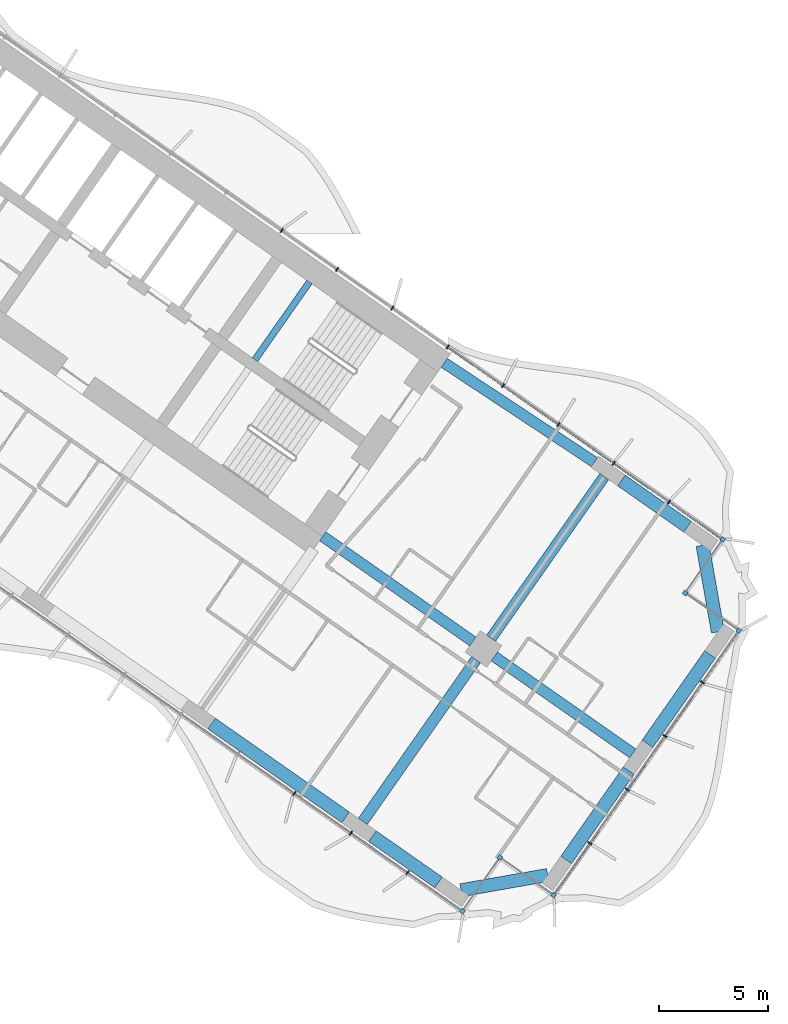
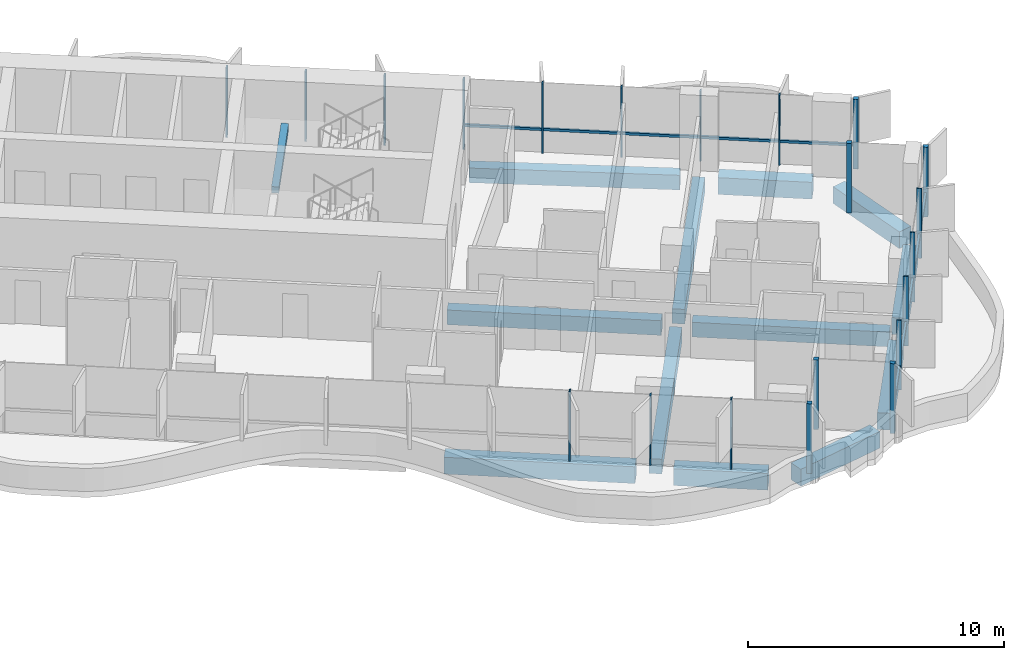
# One storey, part 9 of 23: 23 members, 13 beams, 2 elements without a shape of their own.
"""IFC4 building model written with IfcOpenShell, lengths in metres."""

from ifc_helpers import new_model, si_unit, direction, frame, origin, origin_2d, place, context, subcontext, project, spatial, rectangle, extrude, material, material_profile, profile_set, type_object, element, aggregate, save


model = new_model("IFC4")

# Units and contexts
model_context = context("Model", 3, precision=1e-05, world=origin(), true_north=direction((0.0, 1.0)))
body_context = subcontext(model_context, "Body", "Model", "MODEL_VIEW")
ifc_project = project(units=[si_unit("LENGTHUNIT", "METRE"), si_unit("AREAUNIT", "SQUARE_METRE"), si_unit("VOLUMEUNIT", "CUBIC_METRE"), si_unit("PLANEANGLEUNIT", "RADIAN"), si_unit("MASSUNIT", "GRAM", prefix="KILO")], contexts=[model_context])

# Site, building, storey
site_placement = place(None, origin())
site = spatial("IfcSite", under=ifc_project, at=site_placement, CompositionType="ELEMENT")
building_placement = place(site_placement, origin())
building = spatial("IfcBuilding", under=site, at=building_placement, Name="Tel Ilan Convention Tower", CompositionType="ELEMENT")
storey_placement = place(building_placement, frame((0.0, 0.0, 94.10009765625)))
storey = spatial("IfcBuildingStorey", under=building, at=storey_placement, Name="L19", CompositionType="ELEMENT", Elevation=94.10009765625)

# Beams
ifc_material_1 = material(Name="Concrete C40/50", Category="concrete")
ifc_material_profile_1 = material_profile(ifc_material_1, rectangle(XDim=0.5, YDim=0.699951171875, at=origin_2d()), Name="RC 500x700")
ifc_profile_set_1 = profile_set([ifc_material_profile_1], Name="Concrete C40/50")
beam_type_1 = type_object("IfcBeamType", Name="Beam RC 500x700 Concrete C40/50", PredefinedType="BEAM", material=ifc_profile_set_1)
beam_1_placement = place(storey_placement, frame((34.570556640625, -12.08447265625, -0.630126953125), z_axis=(-0.834273603487, 0.551350663847, 0.0), x_axis=(-0.551350663847, -0.834273603487, 0.0)))
element("IfcBeam", 1, at=beam_1_placement, inside=storey, type_object=beam_type_1, Name="L19 beam E-E-B4-core", PredefinedType="BEAM", context=body_context, shape_type="SweptSolid", body=[
    extrude(rectangle(XDim=0.5, YDim=0.699951171875, at=origin_2d()), origin(), (0.0, 0.0, 1.0), 8.2529296875),
])
beam_2_placement = place(storey_placement, frame((22.1171875, -15.486572265625, -0.630126953125), z_axis=(0.819147254605, -0.573583276668, 0.0), x_axis=(0.573583276668, 0.819147254605, 0.0)))
element("IfcBeam", 2, at=beam_2_placement, inside=storey, type_object=beam_type_1, Name="L19 beam E-core-E-M4", PredefinedType="BEAM", context=body_context, shape_type="SweptSolid", body=[
    extrude(rectangle(XDim=0.5, YDim=0.699951171875, at=origin_2d()), origin(), (0.0, 0.0, 1.0), 8.400146484375),
])
beam_3_placement = place(storey_placement, frame((29.98095703125, -20.992919921875, -0.630126953125), z_axis=(0.819159394801, -0.573565938589, 0.0), x_axis=(0.573565938589, 0.819159394801, 0.0)))
element("IfcBeam", 3, at=beam_3_placement, inside=storey, type_object=beam_type_1, Name="L19 beam E-E-M4-end", PredefinedType="BEAM", context=body_context, shape_type="SweptSolid", body=[
    extrude(rectangle(XDim=0.5, YDim=0.699951171875, at=origin_2d()), origin(), (0.0, 0.0, 1.0), 7.75),
])
for number, where, z_axis, x_axis, name in (
    (4, (29.145263671875, -21.14013671875, -0.630126953125), (-0.573549245583, -0.819171082798, 0.0), (0.819171082798, -0.573549245583, 0.0), "L19 beam E-E-M4-E-F4"),
    (5, (29.83349609375, -20.1572265625, -0.630126953125), (0.57358002233, 0.819149533348, 0.0), (-0.819149533348, 0.57358002233, 0.0), "L19 beam E-E-M4-E-B4"),
):
    element("IfcBeam", number, at=place(storey_placement, frame(where, z_axis=z_axis, x_axis=x_axis)), inside=storey, type_object=beam_type_1, Name=name, PredefinedType="BEAM", context=body_context, shape_type="SweptSolid", body=[
        extrude(rectangle(XDim=0.5, YDim=0.699951171875, at=origin_2d()), origin(), (0.0, 0.0, 1.0), 9.050048828125),
    ])
ifc_material_2 = material(Name="Concrete C40/50", Category="concrete")
ifc_material_profile_2 = material_profile(ifc_material_2, rectangle(XDim=0.60009765625, YDim=0.800048828125, at=origin_2d()), Name="RC 600x800")
ifc_profile_set_2 = profile_set([ifc_material_profile_2], Name="Concrete C40/50")
beam_type_2 = type_object("IfcBeamType", Name="Beam RC 600x800 Concrete C40/50", PredefinedType="BEAM", material=ifc_profile_set_2)
beam_4_placement = place(storey_placement, frame((17.0244140625, -24.0673828125, -0.68017578125), z_axis=(0.81915238829, -0.573575945067, 0.0), x_axis=(0.573575945067, 0.81915238829, 0.0)))
element("IfcBeam", 6, at=beam_4_placement, inside=storey, type_object=beam_type_2, Name="L19 beam E-E-F3-E-F4", PredefinedType="BEAM", context=body_context, shape_type="SweptSolid", body=[
    extrude(rectangle(XDim=0.60009765625, YDim=0.800048828125, at=origin_2d()), origin(), (0.0, 0.0, 1.0), 7.5),
])
beam_5_placement = place(storey_placement, frame((24.396728515625, -29.2294921875, -0.68017578125), z_axis=(0.819132709951, -0.573604047656, 0.0), x_axis=(0.573604047656, 0.819132709951, 0.0)))
element("IfcBeam", 7, at=beam_5_placement, inside=storey, type_object=beam_type_2, Name="L19 beam E-E-F4-E-FC", PredefinedType="BEAM", context=body_context, shape_type="SweptSolid", body=[
    extrude(rectangle(XDim=0.60009765625, YDim=0.800048828125, at=origin_2d()), origin(), (0.0, 0.0, 1.0), 3.699951171875),
])
beam_6_placement = place(storey_placement, frame((28.459716796875, -31.708251953125, -0.68017578125), z_axis=(0.984806721117, 0.173654029734, 0.0), x_axis=(-0.173654029734, 0.984806721117, 0.0)))
element("IfcBeam", 8, at=beam_6_placement, inside=storey, type_object=beam_type_2, Name="L19 beam E-E-FC-E-E1", PredefinedType="BEAM", context=body_context, shape_type="SweptSolid", body=[
    extrude(rectangle(XDim=0.60009765625, YDim=0.800048828125, at=origin_2d()), origin(), (0.0, 0.0, 1.0), 4.03076171875),
])
for number, where, z_axis, x_axis, name in (
    (9, (33.277099609375, -30.3203125, -0.68017578125), (0.573586866468, 0.819144740944, 0.0), (-0.819144740944, 0.573586866468, 0.0), "L19 beam E-E-E1-E-E2"),
    (10, (37.00537109375, -24.995849609375, -0.68017578125), (0.573586866468, 0.819144740944, 0.0), (-0.819144740944, 0.573586866468, 0.0), "L19 beam E-E-E2-E-E3"),
):
    element("IfcBeam", number, at=place(storey_placement, frame(where, z_axis=z_axis, x_axis=x_axis)), inside=storey, type_object=beam_type_2, Name=name, PredefinedType="BEAM", context=body_context, shape_type="SweptSolid", body=[
        extrude(rectangle(XDim=0.60009765625, YDim=0.800048828125, at=origin_2d()), origin(), (0.0, 0.0, 1.0), 5.0),
    ])
beam_7_placement = place(storey_placement, frame((40.229736328125, -19.867919921875, -0.68017578125), z_axis=(-0.173664388751, 0.984804894423, 0.0), x_axis=(-0.984804894423, -0.173664388751, 0.0)))
element("IfcBeam", 11, at=beam_7_placement, inside=storey, type_object=beam_type_2, Name="L19 beam E-E-E3-E-BC", PredefinedType="BEAM", context=body_context, shape_type="SweptSolid", body=[
    extrude(rectangle(XDim=0.60009765625, YDim=0.800048828125, at=origin_2d()), origin(), (0.0, 0.0, 1.0), 4.030517578125),
])
beam_8_placement = place(storey_placement, frame((38.841796875, -15.050537109375, -0.68017578125), z_axis=(-0.819185419371, 0.573528768842, 0.0), x_axis=(-0.573528768842, -0.819185419371, 0.0)))
element("IfcBeam", 12, at=beam_8_placement, inside=storey, type_object=beam_type_2, Name="L19 beam E-E-BC-E-B4", PredefinedType="BEAM", context=body_context, shape_type="SweptSolid", body=[
    extrude(rectangle(XDim=0.60009765625, YDim=0.800048828125, at=origin_2d()), origin(), (0.0, 0.0, 1.0), 3.699951171875),
])

# Curtain wall, members
ifc_material_3 = material(Name="Aluminium, bronze anodised", Category="aluminium")
curtain_wall_type_1 = type_object("IfcCurtainWallType", Name="CW1 UNITISED CURTAIN WALL, HOTEL TINTED GLASS", PredefinedType="NOTDEFINED", material=ifc_material_3)
curtain_wall_1_placement = place(storey_placement, origin())
curtain_wall_1 = element("IfcCurtainWall", 13, at=curtain_wall_1_placement, inside=storey, type_object=curtain_wall_type_1, Name="Curtain wall CW1-17.02", PredefinedType="NOTDEFINED")
ifc_material_4 = material(Name="Aluminium, bronze anodised", Category="aluminium")
ifc_material_profile_3 = material_profile(ifc_material_4, rectangle(XDim=0.199951171875, YDim=0.199951171875, at=origin_2d()), Name="CW CORNER MULLION 200x200")
ifc_profile_set_3 = profile_set([ifc_material_profile_3], Name="Aluminium, bronze anodised")
member_type_1 = type_object("IfcMemberType", Name="CW CORNER MULLION 200x200", PredefinedType="MULLION", material=ifc_profile_set_3)
member_1_placement = place(storey_placement, frame((28.52099609375, -32.666748046875, 0.0), z_axis=(0.0, 0.0, 1.0), x_axis=(0.819152044289, -0.573576436351, 0.0)))
member_1 = element("IfcMember", 14, at=member_1_placement, type_object=member_type_1, Name="Corner mullion", PredefinedType="MULLION", context=body_context, shape_type="SweptSolid", body=[
    extrude(rectangle(XDim=0.199951171875, YDim=0.199951171875, at=origin_2d()), origin(), (0.0, 0.0, 1.0), 3.31982421875),
])
member_2_placement = place(storey_placement, frame((30.241943359375, -30.209228515625, 0.0), z_axis=(0.0, 0.0, 1.0), x_axis=(0.573576436351, 0.819152044289, 0.0)))
member_2 = element("IfcMember", 15, at=member_2_placement, type_object=member_type_1, Name="Corner mullion", PredefinedType="MULLION", context=body_context, shape_type="SweptSolid", body=[
    extrude(rectangle(XDim=0.199951171875, YDim=0.199951171875, at=origin_2d()), origin(), (0.0, 0.0, 1.0), 3.31982421875),
])
member_3_placement = place(storey_placement, frame((32.69921875, -31.929931640625, 0.0), z_axis=(0.0, 0.0, 1.0), x_axis=(0.819152044289, -0.573576436351, 0.0)))
member_3 = element("IfcMember", 16, at=member_3_placement, type_object=member_type_1, Name="Corner mullion", PredefinedType="MULLION", context=body_context, shape_type="SweptSolid", body=[
    extrude(rectangle(XDim=0.199951171875, YDim=0.199951171875, at=origin_2d()), origin(), (0.0, 0.0, 1.0), 3.31982421875),
])
member_4_placement = place(storey_placement, frame((41.188232421875, -19.806640625, 0.0), z_axis=(0.0, 0.0, 1.0), x_axis=(0.573576436351, 0.819152044289, 0.0)))
member_4 = element("IfcMember", 17, at=member_4_placement, type_object=member_type_1, Name="Corner mullion", PredefinedType="MULLION", context=body_context, shape_type="SweptSolid", body=[
    extrude(rectangle(XDim=0.199951171875, YDim=0.199951171875, at=origin_2d()), origin(), (0.0, 0.0, 1.0), 3.31982421875),
])
member_5_placement = place(storey_placement, frame((38.730712890625, -18.0859375, 0.0), z_axis=(0.0, 0.0, 1.0), x_axis=(-0.819152044289, 0.573576436351, 0.0)))
member_5 = element("IfcMember", 18, at=member_5_placement, type_object=member_type_1, Name="Corner mullion", PredefinedType="MULLION", context=body_context, shape_type="SweptSolid", body=[
    extrude(rectangle(XDim=0.199951171875, YDim=0.199951171875, at=origin_2d()), origin(), (0.0, 0.0, 1.0), 3.31982421875),
])
member_6_placement = place(storey_placement, frame((40.451416015625, -15.62841796875, 0.0), z_axis=(0.0, 0.0, 1.0), x_axis=(0.573576436351, 0.819152044289, 0.0)))
member_6 = element("IfcMember", 19, at=member_6_placement, type_object=member_type_1, Name="Corner mullion", PredefinedType="MULLION", context=body_context, shape_type="SweptSolid", body=[
    extrude(rectangle(XDim=0.199951171875, YDim=0.199951171875, at=origin_2d()), origin(), (0.0, 0.0, 1.0), 3.31982421875),
])

ifc_material_5 = material(Name="Aluminium, bronze anodised", Category="aluminium")
curtain_wall_type_2 = type_object("IfcCurtainWallType", Name="CW2 STICK CURTAIN WALL, SPANDREL PANELS", PredefinedType="NOTDEFINED", material=ifc_material_5)
curtain_wall_2_placement = place(storey_placement, origin())
curtain_wall_2 = element("IfcCurtainWall", 20, at=curtain_wall_2_placement, inside=storey, type_object=curtain_wall_type_2, Name="Curtain wall CW2-17.01", PredefinedType="NOTDEFINED")
ifc_material_6 = material(Name="Aluminium, bronze anodised", Category="aluminium")
ifc_material_profile_4 = material_profile(ifc_material_6, rectangle(XDim=0.06005859375, YDim=0.199951171875, at=origin_2d()), Name="CW MULLION 60x200")
ifc_profile_set_4 = profile_set([ifc_material_profile_4], Name="Aluminium, bronze anodised")
member_type_2 = type_object("IfcMemberType", Name="CW MULLION 60x200", PredefinedType="MULLION", material=ifc_profile_set_4)
member_7_placement = place(storey_placement, frame((27.848876953125, -6.803955078125, 0.0), z_axis=(0.0, 0.0, 1.0), x_axis=(-0.819152044289, 0.573576436351, 0.0)))
member_7 = element("IfcMember", 21, at=member_7_placement, type_object=member_type_2, Name="Mullion", PredefinedType="MULLION", context=body_context, shape_type="SweptSolid", body=[
    extrude(rectangle(XDim=0.06005859375, YDim=0.199951171875, at=origin_2d()), origin(), (0.0, 0.0, 1.0), 3.31982421875),
])
member_8_placement = place(storey_placement, frame((25.311767578125, -5.027587890625, 0.0), z_axis=(0.0, 0.0, 1.0), x_axis=(-0.819152044289, 0.573576436351, 0.0)))
member_8 = element("IfcMember", 22, at=member_8_placement, type_object=member_type_2, Name="Mullion", PredefinedType="MULLION", context=body_context, shape_type="SweptSolid", body=[
    extrude(rectangle(XDim=0.06005859375, YDim=0.199951171875, at=origin_2d()), origin(), (0.0, 0.0, 1.0), 3.31982421875),
])
member_9_placement = place(storey_placement, frame((22.77490234375, -3.251220703125, 0.0), z_axis=(0.0, 0.0, 1.0), x_axis=(-0.819152044289, 0.573576436351, 0.0)))
member_9 = element("IfcMember", 23, at=member_9_placement, type_object=member_type_2, Name="Mullion", PredefinedType="MULLION", context=body_context, shape_type="SweptSolid", body=[
    extrude(rectangle(XDim=0.06005859375, YDim=0.199951171875, at=origin_2d()), origin(), (0.0, 0.0, 1.0), 3.31982421875),
])
member_10_placement = place(storey_placement, frame((20.238037109375, -1.474853515625, 0.0), z_axis=(0.0, 0.0, 1.0), x_axis=(-0.819152044289, 0.573576436351, 0.0)))
member_10 = element("IfcMember", 24, at=member_10_placement, type_object=member_type_2, Name="Mullion", PredefinedType="MULLION", context=body_context, shape_type="SweptSolid", body=[
    extrude(rectangle(XDim=0.06005859375, YDim=0.199951171875, at=origin_2d()), origin(), (0.0, 0.0, 1.0), 3.31982421875),
])
aggregate(curtain_wall_2, [member_7, member_8, member_9, member_10])

# Member
member_11_placement = place(storey_placement, frame((20.81787109375, -27.27294921875, 0.0), z_axis=(0.0, 0.0, 1.0), x_axis=(0.819152044289, -0.573576436351, 0.0)))
member_11 = element("IfcMember", 25, at=member_11_placement, type_object=member_type_2, Name="Mullion", PredefinedType="MULLION", context=body_context, shape_type="SweptSolid", body=[
    extrude(rectangle(XDim=0.06005859375, YDim=0.199951171875, at=origin_2d()), origin(), (0.0, 0.0, 1.0), 3.31982421875),
])

member_12_placement = place(storey_placement, frame((23.412841796875, -29.08984375, 0.0), z_axis=(0.0, 0.0, 1.0), x_axis=(0.819152044289, -0.573576436351, 0.0)))
member_12 = element("IfcMember", 26, at=member_12_placement, type_object=member_type_2, Name="Mullion", PredefinedType="MULLION", context=body_context, shape_type="SweptSolid", body=[
    extrude(rectangle(XDim=0.06005859375, YDim=0.199951171875, at=origin_2d()), origin(), (0.0, 0.0, 1.0), 3.31982421875),
])

member_13_placement = place(storey_placement, frame((26.008056640625, -30.906982421875, 0.0), z_axis=(0.0, 0.0, 1.0), x_axis=(0.819152044289, -0.573576436351, 0.0)))
member_13 = element("IfcMember", 27, at=member_13_placement, type_object=member_type_2, Name="Mullion", PredefinedType="MULLION", context=body_context, shape_type="SweptSolid", body=[
    extrude(rectangle(XDim=0.06005859375, YDim=0.199951171875, at=origin_2d()), origin(), (0.0, 0.0, 1.0), 3.31982421875),
])

member_14_placement = place(storey_placement, frame((34.362548828125, -29.554443359375, 0.0), z_axis=(0.0, 0.0, 1.0), x_axis=(0.573576436351, 0.819152044289, 0.0)))
member_14 = element("IfcMember", 28, at=member_14_placement, type_object=member_type_2, Name="Mullion", PredefinedType="MULLION", context=body_context, shape_type="SweptSolid", body=[
    extrude(rectangle(XDim=0.06005859375, YDim=0.199951171875, at=origin_2d()), origin(), (0.0, 0.0, 1.0), 3.31982421875),
])

member_15_placement = place(storey_placement, frame((36.08349609375, -27.096923828125, 0.0), z_axis=(0.0, 0.0, 1.0), x_axis=(0.573576436351, 0.819152044289, 0.0)))
member_15 = element("IfcMember", 29, at=member_15_placement, type_object=member_type_2, Name="Mullion", PredefinedType="MULLION", context=body_context, shape_type="SweptSolid", body=[
    extrude(rectangle(XDim=0.06005859375, YDim=0.199951171875, at=origin_2d()), origin(), (0.0, 0.0, 1.0), 3.31982421875),
])

member_16_placement = place(storey_placement, frame((37.80419921875, -24.6396484375, 0.0), z_axis=(0.0, 0.0, 1.0), x_axis=(0.573576436351, 0.819152044289, 0.0)))
member_16 = element("IfcMember", 30, at=member_16_placement, type_object=member_type_2, Name="Mullion", PredefinedType="MULLION", context=body_context, shape_type="SweptSolid", body=[
    extrude(rectangle(XDim=0.06005859375, YDim=0.199951171875, at=origin_2d()), origin(), (0.0, 0.0, 1.0), 3.31982421875),
])

member_17_placement = place(storey_placement, frame((39.52490234375, -22.18212890625, 0.0), z_axis=(0.0, 0.0, 1.0), x_axis=(0.573576436351, 0.819152044289, 0.0)))
member_17 = element("IfcMember", 31, at=member_17_placement, type_object=member_type_2, Name="Mullion", PredefinedType="MULLION", context=body_context, shape_type="SweptSolid", body=[
    extrude(rectangle(XDim=0.06005859375, YDim=0.199951171875, at=origin_2d()), origin(), (0.0, 0.0, 1.0), 3.31982421875),
])

member_18_placement = place(storey_placement, frame((37.99658203125, -13.909423828125, 0.0), z_axis=(0.0, 0.0, 1.0), x_axis=(-0.819152044289, 0.573576436351, 0.0)))
member_18 = element("IfcMember", 32, at=member_18_placement, type_object=member_type_2, Name="Mullion", PredefinedType="MULLION", context=body_context, shape_type="SweptSolid", body=[
    extrude(rectangle(XDim=0.06005859375, YDim=0.199951171875, at=origin_2d()), origin(), (0.0, 0.0, 1.0), 3.31982421875),
])

member_19_placement = place(storey_placement, frame((35.45947265625, -12.133056640625, 0.0), z_axis=(0.0, 0.0, 1.0), x_axis=(-0.819152044289, 0.573576436351, 0.0)))
member_19 = element("IfcMember", 33, at=member_19_placement, type_object=member_type_2, Name="Mullion", PredefinedType="MULLION", context=body_context, shape_type="SweptSolid", body=[
    extrude(rectangle(XDim=0.06005859375, YDim=0.199951171875, at=origin_2d()), origin(), (0.0, 0.0, 1.0), 3.31982421875),
])

member_20_placement = place(storey_placement, frame((32.922607421875, -10.356689453125, 0.0), z_axis=(0.0, 0.0, 1.0), x_axis=(-0.819152044289, 0.573576436351, 0.0)))
member_20 = element("IfcMember", 34, at=member_20_placement, type_object=member_type_2, Name="Mullion", PredefinedType="MULLION", context=body_context, shape_type="SweptSolid", body=[
    extrude(rectangle(XDim=0.06005859375, YDim=0.199951171875, at=origin_2d()), origin(), (0.0, 0.0, 1.0), 3.31982421875),
])

member_21_placement = place(storey_placement, frame((30.3857421875, -8.580322265625, 0.0), z_axis=(0.0, 0.0, 1.0), x_axis=(-0.819152044289, 0.573576436351, 0.0)))
member_21 = element("IfcMember", 35, at=member_21_placement, type_object=member_type_2, Name="Mullion", PredefinedType="MULLION", context=body_context, shape_type="SweptSolid", body=[
    extrude(rectangle(XDim=0.06005859375, YDim=0.199951171875, at=origin_2d()), origin(), (0.0, 0.0, 1.0), 3.31982421875),
])

ifc_material_7 = material(Name="Aluminium, bronze anodised", Category="aluminium")
ifc_material_profile_5 = material_profile(ifc_material_7, rectangle(XDim=0.10009765625, YDim=0.1201171875, at=origin_2d()), Name="CW TRANSOM 100x120")
ifc_profile_set_5 = profile_set([ifc_material_profile_5], Name="Aluminium, bronze anodised")
member_type_3 = type_object("IfcMemberType", Name="CW TRANSOM 100x120", PredefinedType="USERDEFINED", material=ifc_profile_set_5)
member_22_placement = place(storey_placement, frame((32.756591796875, -31.84814453125, 1.099853515625), z_axis=(0.573575688231, 0.819152568128, 0.0), x_axis=(-0.819152568128, 0.573575688231, 0.0)))
member_22 = element("IfcMember", 36, at=member_22_placement, type_object=member_type_3, Name="Transom", ObjectType="TRANSOM", PredefinedType="USERDEFINED", context=body_context, shape_type="SweptSolid", body=[
    extrude(rectangle(XDim=0.10009765625, YDim=0.1201171875, at=origin_2d()), origin(), (0.0, 0.0, 1.0), 14.60009765625),
])

member_23_placement = place(storey_placement, frame((40.36962890625, -15.571044921875, 1.099853515625), z_axis=(-0.819152967985, 0.573575117174, 0.0), x_axis=(-0.573575117174, -0.819152967985, 0.0)))
member_23 = element("IfcMember", 37, at=member_23_placement, type_object=member_type_3, Name="Transom", ObjectType="TRANSOM", PredefinedType="USERDEFINED", context=body_context, shape_type="SweptSolid", body=[
    extrude(rectangle(XDim=0.10009765625, YDim=0.1201171875, at=origin_2d()), origin(), (0.0, 0.0, 1.0), 15.255126953125),
])

aggregate(curtain_wall_1, [member_11, member_12, member_13, member_1, member_2, member_3, member_14, member_15, member_16, member_17, member_4, member_22, member_5, member_6, member_18, member_19, member_20, member_21, member_23])

# Beam
ifc_material_8 = material(Name="Concrete C40/50", Category="concrete")
ifc_material_profile_6 = material_profile(ifc_material_8, rectangle(XDim=0.300048828125, YDim=0.300048828125, at=origin_2d()), Name="RC 300x300")
ifc_profile_set_6 = profile_set([ifc_material_profile_6], Name="Concrete C40/50")
beam_type_3 = type_object("IfcBeamType", Name="Landing Beam RC 300x300 Concrete C40/50", PredefinedType="BEAM", material=ifc_profile_set_6)
beam_9_placement = place(storey_placement, frame((21.5087890625, -3.829345703125, 1.449951171875), z_axis=(-0.57356780395, -0.819158088694, 0.0), x_axis=(0.819158088694, -0.57356780395, 0.0)))
element("IfcBeam", 38, at=beam_9_placement, inside=storey, type_object=beam_type_3, Name="S3 landing beam L19.1", PredefinedType="BEAM", context=body_context, shape_type="SweptSolid", body=[
    extrude(rectangle(XDim=0.300048828125, YDim=0.300048828125, at=origin_2d()), origin(), (0.0, 0.0, 1.0), 4.35009765625),
])

save(model, "model.ifc")
